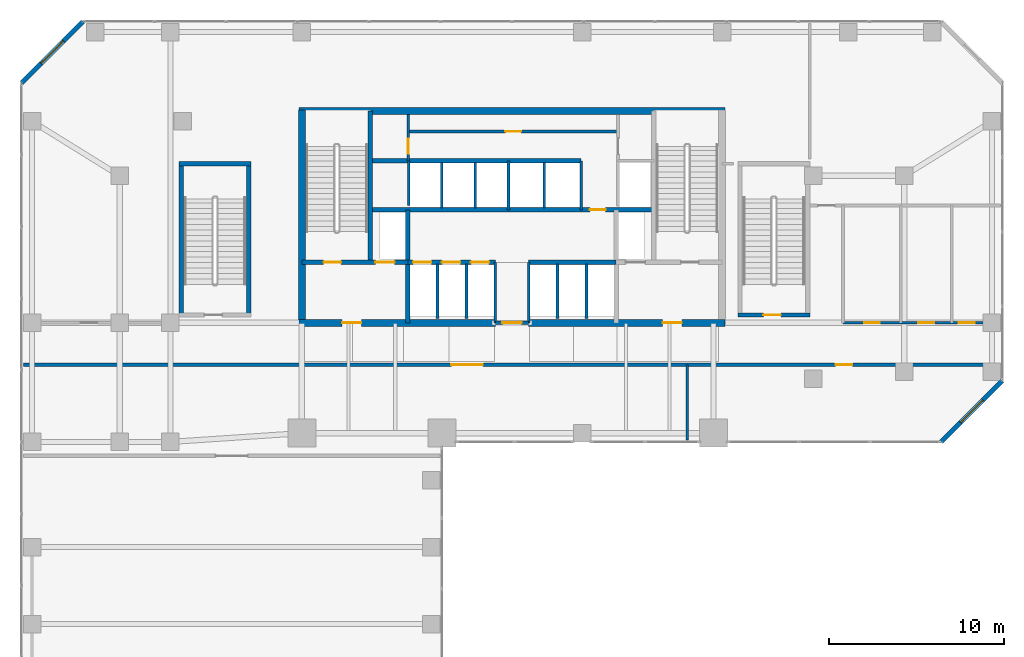
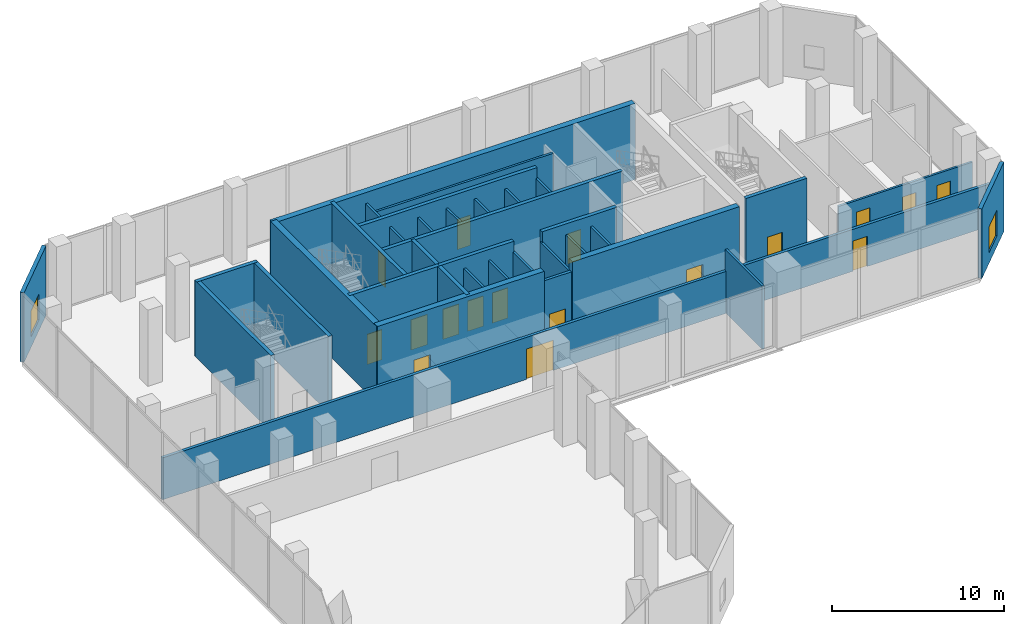
# One storey, part 21 of 24: 35 walls, 17 doors, 2 windows, 19 openings.
"""IFC4 building model written with IfcOpenShell, lengths in metres."""

from ifc_helpers import new_model, si_unit, direction, frame, frame_2d, origin, place, context, subcontext, project, spatial, rectangle, extrude, material, layer, layer_set, type_object, element, fill, save


model = new_model("IFC4")

# Units and contexts
model_context = context("Model", 3, precision=1e-05, world=origin(), true_north=direction((0.0, 1.0)))
body_context = subcontext(model_context, "Body", "Model", "MODEL_VIEW")
ifc_project = project(units=[si_unit("LENGTHUNIT", "METRE"), si_unit("AREAUNIT", "SQUARE_METRE"), si_unit("VOLUMEUNIT", "CUBIC_METRE"), si_unit("PLANEANGLEUNIT", "RADIAN"), si_unit("MASSUNIT", "GRAM", prefix="KILO")], contexts=[model_context])

# Site, building, storey
site_placement = place(None, origin())
site = spatial("IfcSite", under=ifc_project, at=site_placement, CompositionType="ELEMENT")
building_placement = place(site_placement, origin())
building = spatial("IfcBuilding", under=site, at=building_placement, Name="Catumbela Crestline Tower", CompositionType="ELEMENT")
storey_placement = place(building_placement, frame((0.0, 0.0, 15.9)))
storey = spatial("IfcBuildingStorey", under=building, at=storey_placement, Name="L03", CompositionType="ELEMENT", Elevation=15.9)

# Walls
ifc_material_1 = material(Name="Concrete C50/60", Category="concrete")
ifc_layer_1 = layer(ifc_material_1, 0.25, Name="Concrete C50/60")
ifc_layer_set_1 = layer_set([ifc_layer_1], Name="Concrete C50/60")
wall_type_1 = type_object("IfcWallType", Name="CW-250D", PredefinedType="SHEAR", material=ifc_layer_set_1)
wall_1_placement = place(storey_placement, frame((19.9, 34.25, 0.0), z_axis=(0.0, 0.0, 1.0), x_axis=(0.0, 1.0, 0.0)))
element("IfcWall", 1, at=wall_1_placement, inside=storey, type_object=wall_type_1, Name="L03 Structural Core Shear Wall WWEB", PredefinedType="SHEAR", context=body_context, shape_type="SweptSolid", body=[
    extrude(rectangle(XDim=8.65, YDim=0.25, at=frame_2d((4.325, 0.0))), origin(), (0.0, 0.0, 1.0), 5.4),
])
wall_2_placement = place(storey_placement, frame((22.05, 30.8, 0.0), z_axis=(0.0, 0.0, 1.0), x_axis=(0.0, 1.0, 0.0)))
element("IfcWall", 2, at=wall_2_placement, inside=storey, type_object=wall_type_1, Name="L03 Structural Core Shear Wall FFW", PredefinedType="SHEAR", context=body_context, shape_type="SweptSolid", body=[
    extrude(rectangle(XDim=6.45, YDim=0.25, at=frame_2d((3.225, 0.0))), origin(), (0.0, 0.0, 1.0), 5.4),
])

# Wall, openings, doors
wall_3_placement = place(storey_placement, frame((16.0, 34.25, 0.0), z_axis=(0.0, 0.0, 1.0), x_axis=(1.0, 0.0, 0.0)))
wall_3 = element("IfcWall", 3, at=wall_3_placement, inside=storey, type_object=wall_type_1, Name="L03 Structural Core Shear Wall ST1S", PredefinedType="SHEAR", context=body_context, shape_type="SweptSolid", body=[
    extrude(rectangle(XDim=6.05, YDim=0.25, at=frame_2d((3.025, 0.0))), origin(), (0.0, 0.0, 1.0), 5.4),
])
opening_1_placement = place(wall_3_placement, frame((1.25, 0.0, 0.0)))
opening_1 = element("IfcOpeningElement", 4, at=opening_1_placement, cuts=wall_3, Name="Opening DF9-100", PredefinedType="OPENING", context=body_context, shape_type="SweptSolid", body=[
    extrude(rectangle(XDim=1.0, YDim=2.15, at=frame_2d((0.5, 1.075))), frame((0.0, 0.135, 0.0), z_axis=(0.0, -1.0, 0.0), x_axis=(1.0, 0.0, 0.0)), (0.0, 0.0, 1.0), 0.27),
])
opening_2_placement = place(wall_3_placement, frame((4.2, 0.0, 0.0)))
opening_2 = element("IfcOpeningElement", 5, at=opening_2_placement, cuts=wall_3, Name="Opening LD-110", PredefinedType="OPENING", context=body_context, shape_type="SweptSolid", body=[
    extrude(rectangle(XDim=1.1, YDim=2.15, at=frame_2d((0.55, 1.075))), frame((0.0, 0.135, 0.0), z_axis=(0.0, -1.0, 0.0), x_axis=(1.0, 0.0, 0.0)), (0.0, 0.0, 1.0), 0.27),
])
ifc_material_2 = material(Name="Stainless steel EN 1.4401", Category="steel")
door_type_1 = type_object("IfcDoorType", Name="DF9-100", OperationType="NOTDEFINED", PredefinedType="DOOR", material=ifc_material_2)
door_1_placement = place(opening_1_placement, origin())
door_1 = element("IfcDoor", 6, at=door_1_placement, inside=storey, type_object=door_type_1, Name="L03 Interior Door DR-L03-ST01", OperationType="SINGLE_SWING_LEFT", OverallHeight=2.15, OverallWidth=1.0, PredefinedType="DOOR", context=body_context, shape_type="SweptSolid", body=[
    extrude(rectangle(XDim=1.0, YDim=2.15, at=frame_2d((0.5, 1.075))), frame((0.0, 0.025, 0.0), z_axis=(0.0, -1.0, 0.0), x_axis=(1.0, 0.0, 0.0)), (0.0, 0.0, 1.0), 0.05),
])
fill(opening_1, door_1)
door_type_2 = type_object("IfcDoorType", Name="LD-110", OperationType="NOTDEFINED", PredefinedType="DOOR", material=ifc_material_2)
door_2_placement = place(opening_2_placement, origin())
door_2 = element("IfcDoor", 7, at=door_2_placement, inside=storey, type_object=door_type_2, Name="L03 Lift Landing Sliding Door FL-01", OperationType="DOUBLE_DOOR_SLIDING", OverallHeight=2.15, OverallWidth=1.1, PredefinedType="DOOR", context=body_context, shape_type="SweptSolid", body=[
    extrude(rectangle(XDim=1.1, YDim=2.15, at=frame_2d((0.55, 1.075))), frame((0.0, 0.025, 0.0), z_axis=(0.0, -1.0, 0.0), x_axis=(1.0, 0.0, 0.0)), (0.0, 0.0, 1.0), 0.05),
])
fill(opening_2, door_2)

wall_4_placement = place(storey_placement, frame((22.05, 34.25, 0.0), z_axis=(0.0, 0.0, 1.0), x_axis=(1.0, 0.0, 0.0)))
wall_4 = element("IfcWall", 8, at=wall_4_placement, inside=storey, type_object=wall_type_1, Name="L03 Structural Core Shear Wall LIFTS-W", PredefinedType="SHEAR", context=body_context, shape_type="SweptSolid", body=[
    extrude(rectangle(XDim=5.0, YDim=0.25, at=frame_2d((2.5, 0.0))), origin(), (0.0, 0.0, 1.0), 5.4),
])
opening_3_placement = place(wall_4_placement, frame((0.3, 0.0, 0.0)))
opening_3 = element("IfcOpeningElement", 9, at=opening_3_placement, cuts=wall_4, Name="Opening LD-105", PredefinedType="OPENING", context=body_context, shape_type="SweptSolid", body=[
    extrude(rectangle(XDim=1.05, YDim=2.15, at=frame_2d((0.525, 1.075))), frame((0.0, 0.135, 0.0), z_axis=(0.0, -1.0, 0.0), x_axis=(1.0, 0.0, 0.0)), (0.0, 0.0, 1.0), 0.27),
])
opening_4_placement = place(wall_4_placement, frame((1.95, 0.0, 0.0)))
opening_4 = element("IfcOpeningElement", 10, at=opening_4_placement, cuts=wall_4, Name="Opening LD-105", PredefinedType="OPENING", context=body_context, shape_type="SweptSolid", body=[
    extrude(rectangle(XDim=1.05, YDim=2.15, at=frame_2d((0.525, 1.075))), frame((0.0, 0.135, 0.0), z_axis=(0.0, -1.0, 0.0), x_axis=(1.0, 0.0, 0.0)), (0.0, 0.0, 1.0), 0.27),
])
opening_5_placement = place(wall_4_placement, frame((3.6, 0.0, 0.0)))
opening_5 = element("IfcOpeningElement", 11, at=opening_5_placement, cuts=wall_4, Name="Opening LD-105", PredefinedType="OPENING", context=body_context, shape_type="SweptSolid", body=[
    extrude(rectangle(XDim=1.05, YDim=2.15, at=frame_2d((0.525, 1.075))), frame((0.0, 0.135, 0.0), z_axis=(0.0, -1.0, 0.0), x_axis=(1.0, 0.0, 0.0)), (0.0, 0.0, 1.0), 0.27),
])
door_type_3 = type_object("IfcDoorType", Name="LD-105", OperationType="NOTDEFINED", PredefinedType="DOOR", material=ifc_material_2)
door_3_placement = place(opening_3_placement, origin())
door_3 = element("IfcDoor", 12, at=door_3_placement, inside=storey, type_object=door_type_3, Name="L03 Lift Landing Sliding Door PL-L1", OperationType="DOUBLE_DOOR_SLIDING", OverallHeight=2.15, OverallWidth=1.05, PredefinedType="DOOR", context=body_context, shape_type="SweptSolid", body=[
    extrude(rectangle(XDim=1.05, YDim=2.15, at=frame_2d((0.525, 1.075))), frame((0.0, 0.025, 0.0), z_axis=(0.0, -1.0, 0.0), x_axis=(1.0, 0.0, 0.0)), (0.0, 0.0, 1.0), 0.05),
])
fill(opening_3, door_3)
door_4_placement = place(opening_4_placement, origin())
door_4 = element("IfcDoor", 13, at=door_4_placement, inside=storey, type_object=door_type_3, Name="L03 Lift Landing Sliding Door PL-L2", OperationType="DOUBLE_DOOR_SLIDING", OverallHeight=2.15, OverallWidth=1.05, PredefinedType="DOOR", context=body_context, shape_type="SweptSolid", body=[
    extrude(rectangle(XDim=1.05, YDim=2.15, at=frame_2d((0.525, 1.075))), frame((0.0, 0.025, 0.0), z_axis=(0.0, -1.0, 0.0), x_axis=(1.0, 0.0, 0.0)), (0.0, 0.0, 1.0), 0.05),
])
fill(opening_4, door_4)
door_5_placement = place(opening_5_placement, origin())
door_5 = element("IfcDoor", 14, at=door_5_placement, inside=storey, type_object=door_type_3, Name="L03 Lift Landing Sliding Door PL-L3", OperationType="DOUBLE_DOOR_SLIDING", OverallHeight=2.15, OverallWidth=1.05, PredefinedType="DOOR", context=body_context, shape_type="SweptSolid", body=[
    extrude(rectangle(XDim=1.05, YDim=2.15, at=frame_2d((0.525, 1.075))), frame((0.0, 0.025, 0.0), z_axis=(0.0, -1.0, 0.0), x_axis=(1.0, 0.0, 0.0)), (0.0, 0.0, 1.0), 0.05),
])
fill(opening_5, door_5)

# Wall
wall_5_placement = place(storey_placement, frame((28.95, 34.25, 0.0), z_axis=(0.0, 0.0, 1.0), x_axis=(1.0, 0.0, 0.0)))
element("IfcWall", 15, at=wall_5_placement, inside=storey, type_object=wall_type_1, Name="L03 Structural Core Shear Wall LIFTS-E", PredefinedType="SHEAR", context=body_context, shape_type="SweptSolid", body=[
    extrude(rectangle(XDim=5.0, YDim=0.25, at=frame_2d((2.5, 0.0))), origin(), (0.0, 0.0, 1.0), 5.4),
])

# Wall, opening, door
wall_6_placement = place(storey_placement, frame((19.9, 37.25, 0.0), z_axis=(0.0, 0.0, 1.0), x_axis=(1.0, 0.0, 0.0)))
wall_6 = element("IfcWall", 16, at=wall_6_placement, inside=storey, type_object=wall_type_1, Name="L03 Structural Core Shear Wall LIFTN", PredefinedType="SHEAR", context=body_context, shape_type="SweptSolid", body=[
    extrude(rectangle(XDim=16.2, YDim=0.25, at=frame_2d((8.1, 0.0))), origin(), (0.0, 0.0, 1.0), 5.4),
])
opening_6_placement = place(wall_6_placement, frame((12.55, 0.0, 0.0)))
opening_6 = element("IfcOpeningElement", 17, at=opening_6_placement, cuts=wall_6, Name="Opening DF9-090", PredefinedType="OPENING", context=body_context, shape_type="SweptSolid", body=[
    extrude(rectangle(XDim=0.9, YDim=2.15, at=frame_2d((0.45, 1.075))), frame((0.0, 0.135, 0.0), z_axis=(0.0, -1.0, 0.0), x_axis=(1.0, 0.0, 0.0)), (0.0, 0.0, 1.0), 0.27),
])
door_type_4 = type_object("IfcDoorType", Name="DF9-090", OperationType="NOTDEFINED", PredefinedType="DOOR", material=ifc_material_2)
door_6_placement = place(opening_6_placement, origin())
door_6 = element("IfcDoor", 18, at=door_6_placement, inside=storey, type_object=door_type_4, Name="L03 Interior Door DR-L03-CPAS1", OperationType="SINGLE_SWING_LEFT", OverallHeight=2.15, OverallWidth=0.9, PredefinedType="DOOR", context=body_context, shape_type="SweptSolid", body=[
    extrude(rectangle(XDim=0.9, YDim=2.15, at=frame_2d((0.45, 1.075))), frame((0.0, 0.025, 0.0), z_axis=(0.0, -1.0, 0.0), x_axis=(1.0, 0.0, 0.0)), (0.0, 0.0, 1.0), 0.05),
])
fill(opening_6, door_6)

# Walls
wall_7_placement = place(storey_placement, frame((19.9, 40.05, 0.0), z_axis=(0.0, 0.0, 1.0), x_axis=(1.0, 0.0, 0.0)))
element("IfcWall", 19, at=wall_7_placement, inside=storey, type_object=wall_type_1, Name="L03 Structural Core Shear Wall COREN", PredefinedType="SHEAR", context=body_context, shape_type="SweptSolid", body=[
    extrude(rectangle(XDim=12.05, YDim=0.25, at=frame_2d((6.025, 0.0))), origin(), (0.0, 0.0, 1.0), 5.4),
])
for number, where, z_axis, x_axis, name in (
    (20, (9.12, 31.15, 0.0), (0.0, 0.0, 1.0), (0.0, 1.0, 0.0), "L03 Structural Core Shear Wall ST3W"),
    (21, (12.98, 31.15, 0.0), (0.0, 0.0, 1.0), (0.0, 1.0, 0.0), "L03 Structural Core Shear Wall ST3E"),
):
    element("IfcWall", number, at=place(storey_placement, frame(where, z_axis=z_axis, x_axis=x_axis)), inside=storey, type_object=wall_type_1, Name=name, PredefinedType="SHEAR", context=body_context, shape_type="SweptSolid", body=[
        extrude(rectangle(XDim=8.8, YDim=0.25, at=frame_2d((4.4, 0.0))), origin(), (0.0, 0.0, 1.0), 5.4),
    ])
wall_8_placement = place(storey_placement, frame((9.0, 39.88, 0.0), z_axis=(0.0, 0.0, 1.0), x_axis=(1.0, 0.0, 0.0)))
element("IfcWall", 22, at=wall_8_placement, inside=storey, type_object=wall_type_1, Name="L03 Structural Core Shear Wall ST3N", PredefinedType="SHEAR", context=body_context, shape_type="SweptSolid", body=[
    extrude(rectangle(XDim=4.1, YDim=0.25, at=frame_2d((2.05, 0.0))), origin(), (0.0, 0.0, 1.0), 5.4),
])

# Wall, opening, door
wall_9_placement = place(storey_placement, frame((40.9, 31.25, 0.0), z_axis=(0.0, 0.0, 1.0), x_axis=(1.0, 0.0, 0.0)))
wall_9 = element("IfcWall", 23, at=wall_9_placement, inside=storey, type_object=wall_type_1, Name="L03 Structural Core Shear Wall ST4S", PredefinedType="SHEAR", context=body_context, shape_type="SweptSolid", body=[
    extrude(rectangle(XDim=4.1, YDim=0.25, at=frame_2d((2.05, 0.0))), origin(), (0.0, 0.0, 1.0), 5.4),
])
opening_7_placement = place(wall_9_placement, frame((1.45, 0.0, 0.0)))
opening_7 = element("IfcOpeningElement", 24, at=opening_7_placement, cuts=wall_9, Name="Opening DF9-100", PredefinedType="OPENING", context=body_context, shape_type="SweptSolid", body=[
    extrude(rectangle(XDim=1.0, YDim=2.15, at=frame_2d((0.5, 1.075))), frame((0.0, 0.135, 0.0), z_axis=(0.0, -1.0, 0.0), x_axis=(1.0, 0.0, 0.0)), (0.0, 0.0, 1.0), 0.27),
])
door_7_placement = place(opening_7_placement, origin())
door_7 = element("IfcDoor", 25, at=door_7_placement, inside=storey, type_object=door_type_1, Name="L03 Interior Door DR-L03-ST04", OperationType="SINGLE_SWING_RIGHT", OverallHeight=2.15, OverallWidth=1.0, PredefinedType="DOOR", context=body_context, shape_type="SweptSolid", body=[
    extrude(rectangle(XDim=1.0, YDim=2.15, at=frame_2d((0.5, 1.075))), frame((0.0, 0.025, 0.0), z_axis=(0.0, -1.0, 0.0), x_axis=(1.0, 0.0, 0.0)), (0.0, 0.0, 1.0), 0.05),
])
fill(opening_7, door_7)

# Walls
ifc_material_3 = material(Name="Concrete C60/75", Category="concrete")
ifc_layer_2 = layer(ifc_material_3, 0.4, Name="Concrete C60/75")
ifc_layer_set_2 = layer_set([ifc_layer_2], Name="Concrete C60/75")
wall_type_2 = type_object("IfcWallType", Name="CW-400A", PredefinedType="SHEAR", material=ifc_layer_set_2)
wall_10_placement = place(storey_placement, frame((16.0, 30.65, 0.0), z_axis=(0.0, 0.0, 1.0), x_axis=(0.0, 1.0, 0.0)))
element("IfcWall", 26, at=wall_10_placement, inside=storey, type_object=wall_type_2, Name="L03 Structural Core Shear Wall W", PredefinedType="SHEAR", context=body_context, shape_type="SweptSolid", body=[
    extrude(rectangle(XDim=12.3, YDim=0.4, at=frame_2d((6.15, 0.0))), origin(), (0.0, 0.0, 1.0), 5.4),
])
wall_11_placement = place(storey_placement, frame((15.85, 42.9, 0.0), z_axis=(0.0, 0.0, 1.0), x_axis=(1.0, 0.0, 0.0)))
element("IfcWall", 27, at=wall_11_placement, inside=storey, type_object=wall_type_2, Name="L03 Structural Core Shear Wall N", PredefinedType="SHEAR", context=body_context, shape_type="SweptSolid", body=[
    extrude(rectangle(XDim=24.3, YDim=0.4, at=frame_2d((12.15, 0.0))), origin(), (0.0, 0.0, 1.0), 5.4),
])

# Wall, opening, door
wall_12_placement = place(storey_placement, frame((15.85, 30.8, 0.0), z_axis=(0.0, 0.0, 1.0), x_axis=(1.0, 0.0, 0.0)))
wall_12 = element("IfcWall", 28, at=wall_12_placement, inside=storey, type_object=wall_type_2, Name="L03 Structural Core Shear Wall SW", PredefinedType="SHEAR", context=body_context, shape_type="SweptSolid", body=[
    extrude(rectangle(XDim=11.2, YDim=0.4, at=frame_2d((5.6, 0.0))), origin(), (0.0, 0.0, 1.0), 5.4),
])
opening_8_placement = place(wall_12_placement, frame((2.45, 0.0, 0.0)))
opening_8 = element("IfcOpeningElement", 29, at=opening_8_placement, cuts=wall_12, Name="Opening DF9-110", PredefinedType="OPENING", context=body_context, shape_type="SweptSolid", body=[
    extrude(rectangle(XDim=1.1, YDim=2.15, at=frame_2d((0.55, 1.075))), frame((0.0, 0.21, 0.0), z_axis=(0.0, -1.0, 0.0), x_axis=(1.0, 0.0, 0.0)), (0.0, 0.0, 1.0), 0.42),
])
door_type_5 = type_object("IfcDoorType", Name="DF9-110", OperationType="NOTDEFINED", PredefinedType="DOOR", material=ifc_material_2)
door_8_placement = place(opening_8_placement, origin())
door_8 = element("IfcDoor", 30, at=door_8_placement, inside=storey, type_object=door_type_5, Name="L03 Interior Door DR-L03-FFW-S", OperationType="SINGLE_SWING_LEFT", OverallHeight=2.15, OverallWidth=1.1, PredefinedType="DOOR", context=body_context, shape_type="SweptSolid", body=[
    extrude(rectangle(XDim=1.1, YDim=2.15, at=frame_2d((0.55, 1.075))), frame((0.0, 0.025, 0.0), z_axis=(0.0, -1.0, 0.0), x_axis=(1.0, 0.0, 0.0)), (0.0, 0.0, 1.0), 0.05),
])
fill(opening_8, door_8)

wall_13_placement = place(storey_placement, frame((28.95, 30.8, 0.0), z_axis=(0.0, 0.0, 1.0), x_axis=(1.0, 0.0, 0.0)))
wall_13 = element("IfcWall", 31, at=wall_13_placement, inside=storey, type_object=wall_type_2, Name="L03 Structural Core Shear Wall SE", PredefinedType="SHEAR", context=body_context, shape_type="SweptSolid", body=[
    extrude(rectangle(XDim=11.2, YDim=0.4, at=frame_2d((5.6, 0.0))), origin(), (0.0, 0.0, 1.0), 5.4),
])
opening_9_placement = place(wall_13_placement, frame((7.65, 0.0, 0.0)))
opening_9 = element("IfcOpeningElement", 32, at=opening_9_placement, cuts=wall_13, Name="Opening DF9-110", PredefinedType="OPENING", context=body_context, shape_type="SweptSolid", body=[
    extrude(rectangle(XDim=1.1, YDim=2.15, at=frame_2d((0.55, 1.075))), frame((0.0, 0.21, 0.0), z_axis=(0.0, -1.0, 0.0), x_axis=(1.0, 0.0, 0.0)), (0.0, 0.0, 1.0), 0.42),
])
door_9_placement = place(opening_9_placement, origin())
door_9 = element("IfcDoor", 33, at=door_9_placement, inside=storey, type_object=door_type_5, Name="L03 Interior Door DR-L03-FFE-S", OperationType="SINGLE_SWING_RIGHT", OverallHeight=2.15, OverallWidth=1.1, PredefinedType="DOOR", context=body_context, shape_type="SweptSolid", body=[
    extrude(rectangle(XDim=1.1, YDim=2.15, at=frame_2d((0.55, 1.075))), frame((0.0, 0.025, 0.0), z_axis=(0.0, -1.0, 0.0), x_axis=(1.0, 0.0, 0.0)), (0.0, 0.0, 1.0), 0.05),
])
fill(opening_9, door_9)

ifc_material_4 = material(Name="Acoustic gypsum and mineral-wool partition")
ifc_layer_3 = layer(ifc_material_4, 0.2, Name="Acoustic gypsum and mineral-wool partition")
ifc_layer_set_3 = layer_set([ifc_layer_3], Name="Acoustic gypsum and mineral-wool partition")
wall_type_3 = type_object("IfcWallType", Name="WC-200", PredefinedType="PARTITIONING", material=ifc_layer_set_3)
wall_14_placement = place(storey_placement, frame((27.05, 30.8, 0.0), z_axis=(0.0, 0.0, 1.0), x_axis=(1.0, 0.0, 0.0)))
wall_14 = element("IfcWall", 34, at=wall_14_placement, inside=storey, type_object=wall_type_3, Name="L03 Interior Partition PW-L03-CLOBS", PredefinedType="PARTITIONING", context=body_context, shape_type="SweptSolid", body=[
    extrude(rectangle(XDim=1.9, YDim=0.2, at=frame_2d((0.95, 0.0))), origin(), (0.0, 0.0, 1.0), 4.64),
])
opening_10_placement = place(wall_14_placement, frame((0.4, 0.0, 0.0)))
opening_10 = element("IfcOpeningElement", 35, at=opening_10_placement, cuts=wall_14, Name="Opening DF9-110", PredefinedType="OPENING", context=body_context, shape_type="SweptSolid", body=[
    extrude(rectangle(XDim=1.1, YDim=2.15, at=frame_2d((0.55, 1.075))), frame((0.0, 0.11, 0.0), z_axis=(0.0, -1.0, 0.0), x_axis=(1.0, 0.0, 0.0)), (0.0, 0.0, 1.0), 0.22),
])
door_10_placement = place(opening_10_placement, origin())
door_10 = element("IfcDoor", 36, at=door_10_placement, inside=storey, type_object=door_type_5, Name="L03 Interior Door DR-L03-CLOBS", OperationType="SINGLE_SWING_LEFT", OverallHeight=2.15, OverallWidth=1.1, PredefinedType="DOOR", context=body_context, shape_type="SweptSolid", body=[
    extrude(rectangle(XDim=1.1, YDim=2.15, at=frame_2d((0.55, 1.075))), frame((0.0, 0.025, 0.0), z_axis=(0.0, -1.0, 0.0), x_axis=(1.0, 0.0, 0.0)), (0.0, 0.0, 1.0), 0.05),
])
fill(opening_10, door_10)

# Wall, openings, doors
wall_15_placement = place(storey_placement, frame((0.1, 28.4, 0.0), z_axis=(0.0, 0.0, 1.0), x_axis=(1.0, 0.0, 0.0)))
wall_15 = element("IfcWall", 37, at=wall_15_placement, inside=storey, type_object=wall_type_3, Name="L03 Interior Partition PW-L03-PFN", PredefinedType="PARTITIONING", context=body_context, shape_type="SweptSolid", body=[
    extrude(rectangle(XDim=55.8, YDim=0.2, at=frame_2d((27.9, 0.0))), origin(), (0.0, 0.0, 1.0), 2.98),
])
opening_11_placement = place(wall_15_placement, frame((24.44, 0.0, 0.0)))
opening_11 = element("IfcOpeningElement", 38, at=opening_11_placement, cuts=wall_15, Name="Opening DD-180", PredefinedType="OPENING", context=body_context, shape_type="SweptSolid", body=[
    extrude(rectangle(XDim=1.8, YDim=2.15, at=frame_2d((0.9, 1.075))), frame((0.0, 0.11, 0.0), z_axis=(0.0, -1.0, 0.0), x_axis=(1.0, 0.0, 0.0)), (0.0, 0.0, 1.0), 0.22),
])
opening_12_placement = place(wall_15_placement, frame((46.375, 0.0, 0.0)))
opening_12 = element("IfcOpeningElement", 39, at=opening_12_placement, cuts=wall_15, Name="Opening DF6-095", PredefinedType="OPENING", context=body_context, shape_type="SweptSolid", body=[
    extrude(rectangle(XDim=0.95, YDim=2.15, at=frame_2d((0.475, 1.075))), frame((0.0, 0.11, 0.0), z_axis=(0.0, -1.0, 0.0), x_axis=(1.0, 0.0, 0.0)), (0.0, 0.0, 1.0), 0.22),
])
ifc_material_5 = material(Name="Aluminium alloy AW-6060-T66", Category="aluminium")
door_type_6 = type_object("IfcDoorType", Name="DD-180", OperationType="NOTDEFINED", PredefinedType="DOOR", material=ifc_material_5)
door_11_placement = place(opening_11_placement, origin())
door_11 = element("IfcDoor", 40, at=door_11_placement, inside=storey, type_object=door_type_6, Name="L03 Interior Door DR-L03-PFN", OperationType="DOUBLE_DOOR_SINGLE_SWING", OverallHeight=2.15, OverallWidth=1.8, PredefinedType="DOOR", context=body_context, shape_type="SweptSolid", body=[
    extrude(rectangle(XDim=1.8, YDim=2.15, at=frame_2d((0.9, 1.075))), frame((0.0, 0.025, 0.0), z_axis=(0.0, -1.0, 0.0), x_axis=(1.0, 0.0, 0.0)), (0.0, 0.0, 1.0), 0.05),
])
fill(opening_11, door_11)
door_type_7 = type_object("IfcDoorType", Name="DF6-095", OperationType="NOTDEFINED", PredefinedType="DOOR", material=ifc_material_5)
door_12_placement = place(opening_12_placement, origin())
door_12 = element("IfcDoor", 41, at=door_12_placement, inside=storey, type_object=door_type_7, Name="L03 Interior Door DR-L03-BKIT", OperationType="SINGLE_SWING_LEFT", OverallHeight=2.15, OverallWidth=0.95, PredefinedType="DOOR", context=body_context, shape_type="SweptSolid", body=[
    extrude(rectangle(XDim=0.95, YDim=2.15, at=frame_2d((0.475, 1.075))), frame((0.0, 0.025, 0.0), z_axis=(0.0, -1.0, 0.0), x_axis=(1.0, 0.0, 0.0)), (0.0, 0.0, 1.0), 0.05),
])
fill(opening_12, door_12)

# Wall, opening, window
ifc_material_6 = material(Name="Angolan grey-ochre granite", Category="masonry")
ifc_layer_4 = layer(ifc_material_6, 0.25, Name="Angolan grey-ochre granite")
ifc_layer_set_4 = layer_set([ifc_layer_4], Name="Angolan grey-ochre granite")
wall_type_4 = type_object("IfcWallType", Name="WE-250", PredefinedType="STANDARD", material=ifc_layer_set_4)
wall_16_placement = place(storey_placement, frame((52.5, 24.0, 0.0), z_axis=(0.0, 0.0, 1.0), x_axis=(0.707106781187, 0.707106781187, 0.0)))
wall_16 = element("IfcWall", 42, at=wall_16_placement, inside=storey, type_object=wall_type_4, Name="L03 Granite Punched Window Wall 4-1", PredefinedType="STANDARD", context=body_context, shape_type="SweptSolid", body=[
    extrude(rectangle(XDim=4.9497, YDim=0.25, at=frame_2d((2.4748, 0.0))), origin(), (0.0, 0.0, 1.0), 4.94),
])
opening_13_placement = place(wall_16_placement, frame((1.5749, 0.0, 0.75)))
opening_13 = element("IfcOpeningElement", 43, at=opening_13_placement, cuts=wall_16, Name="Opening WN-01", PredefinedType="OPENING", context=body_context, shape_type="SweptSolid", body=[
    extrude(rectangle(XDim=1.8, YDim=1.85, at=frame_2d((0.9, 0.925))), frame((0.0, 0.135, 0.0), z_axis=(0.0, -1.0, 0.0), x_axis=(1.0, 0.0, 0.0)), (0.0, 0.0, 1.0), 0.27),
])
ifc_material_7 = material(Name="Low-E laminated solar-control double glazing", Category="glass")
window_type = type_object("IfcWindowType", Name="WF-1800", PartitioningType="SINGLE_PANEL", PredefinedType="WINDOW", material=ifc_material_7)
window_1_placement = place(opening_13_placement, origin())
window_1 = element("IfcWindow", 44, at=window_1_placement, inside=storey, type_object=window_type, Name="L03 Facade Vision Window 37", OverallHeight=1.85, OverallWidth=1.8, PartitioningType="SINGLE_PANEL", PredefinedType="WINDOW", context=body_context, shape_type="SweptSolid", body=[
    extrude(rectangle(XDim=1.8, YDim=1.85, at=frame_2d((0.9, 0.925))), frame((0.0, 0.03, 0.0), z_axis=(0.0, -1.0, 0.0), x_axis=(1.0, 0.0, 0.0)), (0.0, 0.0, 1.0), 0.06),
])
fill(opening_13, window_1)

wall_17_placement = place(storey_placement, frame((3.5, 48.0, 0.0), z_axis=(0.0, 0.0, 1.0), x_axis=(-0.707106781187, -0.707106781187, 0.0)))
wall_17 = element("IfcWall", 45, at=wall_17_placement, inside=storey, type_object=wall_type_4, Name="L03 Granite Punched Window Wall 8-1", PredefinedType="STANDARD", context=body_context, shape_type="SweptSolid", body=[
    extrude(rectangle(XDim=4.9497, YDim=0.25, at=frame_2d((2.4748, 0.0))), origin(), (0.0, 0.0, 1.0), 4.94),
])
opening_14_placement = place(wall_17_placement, frame((1.5749, 0.0, 0.75)))
opening_14 = element("IfcOpeningElement", 46, at=opening_14_placement, cuts=wall_17, Name="Opening WN-01", PredefinedType="OPENING", context=body_context, shape_type="SweptSolid", body=[
    extrude(rectangle(XDim=1.8, YDim=1.85, at=frame_2d((0.9, 0.925))), frame((0.0, 0.135, 0.0), z_axis=(0.0, -1.0, 0.0), x_axis=(1.0, 0.0, 0.0)), (0.0, 0.0, 1.0), 0.27),
])
window_2_placement = place(opening_14_placement, origin())
window_2 = element("IfcWindow", 47, at=window_2_placement, inside=storey, type_object=window_type, Name="L03 Facade Vision Window 39", OverallHeight=1.85, OverallWidth=1.8, PartitioningType="SINGLE_PANEL", PredefinedType="WINDOW", context=body_context, shape_type="SweptSolid", body=[
    extrude(rectangle(XDim=1.8, YDim=1.85, at=frame_2d((0.9, 0.925))), frame((0.0, 0.03, 0.0), z_axis=(0.0, -1.0, 0.0), x_axis=(1.0, 0.0, 0.0)), (0.0, 0.0, 1.0), 0.06),
])
fill(opening_14, window_2)

# Wall, opening, door
ifc_layer_5 = layer(ifc_material_4, 0.15, Name="Acoustic gypsum and mineral-wool partition")
ifc_layer_set_5 = layer_set([ifc_layer_5], Name="Acoustic gypsum and mineral-wool partition")
wall_type_5 = type_object("IfcWallType", Name="WP-150", PredefinedType="PARTITIONING", material=ifc_layer_set_5)
wall_18_placement = place(storey_placement, frame((22.08, 40.05, 0.0), z_axis=(0.0, 0.0, 1.0), x_axis=(0.0, 1.0, 0.0)))
wall_18 = element("IfcWall", 48, at=wall_18_placement, inside=storey, type_object=wall_type_5, Name="L03 Interior Partition PW-L03-CR-WCW", PredefinedType="PARTITIONING", context=body_context, shape_type="SweptSolid", body=[
    extrude(rectangle(XDim=2.63, YDim=0.15, at=frame_2d((1.315, 0.0))), origin(), (0.0, 0.0, 1.0), 4.64),
])
opening_15_placement = place(wall_18_placement, frame((0.41, 0.0, 0.0)))
opening_15 = element("IfcOpeningElement", 49, at=opening_15_placement, cuts=wall_18, Name="Opening DI-085", PredefinedType="OPENING", context=body_context, shape_type="SweptSolid", body=[
    extrude(rectangle(XDim=0.85, YDim=2.15, at=frame_2d((0.425, 1.075))), frame((0.0, 0.085, 0.0), z_axis=(0.0, -1.0, 0.0), x_axis=(1.0, 0.0, 0.0)), (0.0, 0.0, 1.0), 0.17),
])
door_type_8 = type_object("IfcDoorType", Name="DI-085", OperationType="NOTDEFINED", PredefinedType="DOOR", material=ifc_material_5)
door_13_placement = place(opening_15_placement, origin())
door_13 = element("IfcDoor", 50, at=door_13_placement, inside=storey, type_object=door_type_8, Name="L03 Interior Door DR-L03-CRWC", OperationType="SINGLE_SWING_LEFT", OverallHeight=2.15, OverallWidth=0.85, PredefinedType="DOOR", context=body_context, shape_type="SweptSolid", body=[
    extrude(rectangle(XDim=0.85, YDim=2.15, at=frame_2d((0.425, 1.075))), frame((0.0, 0.025, 0.0), z_axis=(0.0, -1.0, 0.0), x_axis=(1.0, 0.0, 0.0)), (0.0, 0.0, 1.0), 0.05),
])
fill(opening_15, door_13)

wall_19_placement = place(storey_placement, frame((22.08, 41.72, 0.0), z_axis=(0.0, 0.0, 1.0), x_axis=(1.0, 0.0, 0.0)))
wall_19 = element("IfcWall", 51, at=wall_19_placement, inside=storey, type_object=wall_type_5, Name="L03 Interior Partition PW-L03-CR-MID", PredefinedType="PARTITIONING", context=body_context, shape_type="SweptSolid", body=[
    extrude(rectangle(XDim=11.97, YDim=0.15, at=frame_2d((5.985, 0.0))), origin(), (0.0, 0.0, 1.0), 4.64),
])
opening_16_placement = place(wall_19_placement, frame((5.535, 0.0, 0.0)))
opening_16 = element("IfcOpeningElement", 52, at=opening_16_placement, cuts=wall_19, Name="Opening DF9-090", PredefinedType="OPENING", context=body_context, shape_type="SweptSolid", body=[
    extrude(rectangle(XDim=0.9, YDim=2.15, at=frame_2d((0.45, 1.075))), frame((0.0, 0.085, 0.0), z_axis=(0.0, -1.0, 0.0), x_axis=(1.0, 0.0, 0.0)), (0.0, 0.0, 1.0), 0.17),
])
door_14_placement = place(opening_16_placement, origin())
door_14 = element("IfcDoor", 53, at=door_14_placement, inside=storey, type_object=door_type_4, Name="L03 Interior Door DR-L03-CRMID", OperationType="SINGLE_SWING_LEFT", OverallHeight=2.15, OverallWidth=0.9, PredefinedType="DOOR", context=body_context, shape_type="SweptSolid", body=[
    extrude(rectangle(XDim=0.9, YDim=2.15, at=frame_2d((0.45, 1.075))), frame((0.0, 0.025, 0.0), z_axis=(0.0, -1.0, 0.0), x_axis=(1.0, 0.0, 0.0)), (0.0, 0.0, 1.0), 0.05),
])
fill(opening_16, door_14)

# Wall, openings, doors
wall_20_placement = place(storey_placement, frame((46.9, 30.8, 0.0), z_axis=(0.0, 0.0, 1.0), x_axis=(1.0, 0.0, 0.0)))
wall_20 = element("IfcWall", 54, at=wall_20_placement, inside=storey, type_object=wall_type_5, Name="L03 Interior Partition PW-L03-WC1", PredefinedType="PARTITIONING", context=body_context, shape_type="SweptSolid", body=[
    extrude(rectangle(XDim=9.0, YDim=0.15, at=frame_2d((4.5, 0.0))), origin(), (0.0, 0.0, 1.0), 2.98),
])
opening_17_placement = place(wall_20_placement, frame((1.2, 0.0, 0.0)))
opening_17 = element("IfcOpeningElement", 55, at=opening_17_placement, cuts=wall_20, Name="Opening DI-090", PredefinedType="OPENING", context=body_context, shape_type="SweptSolid", body=[
    extrude(rectangle(XDim=0.9, YDim=2.15, at=frame_2d((0.45, 1.075))), frame((0.0, 0.085, 0.0), z_axis=(0.0, -1.0, 0.0), x_axis=(1.0, 0.0, 0.0)), (0.0, 0.0, 1.0), 0.17),
])
opening_18_placement = place(wall_20_placement, frame((4.3, 0.0, 0.0)))
opening_18 = element("IfcOpeningElement", 56, at=opening_18_placement, cuts=wall_20, Name="Opening DI-090", PredefinedType="OPENING", context=body_context, shape_type="SweptSolid", body=[
    extrude(rectangle(XDim=0.9, YDim=2.15, at=frame_2d((0.45, 1.075))), frame((0.0, 0.085, 0.0), z_axis=(0.0, -1.0, 0.0), x_axis=(1.0, 0.0, 0.0)), (0.0, 0.0, 1.0), 0.17),
])
opening_19_placement = place(wall_20_placement, frame((6.61, 0.0, 0.0)))
opening_19 = element("IfcOpeningElement", 57, at=opening_19_placement, cuts=wall_20, Name="Opening DI-090", PredefinedType="OPENING", context=body_context, shape_type="SweptSolid", body=[
    extrude(rectangle(XDim=0.9, YDim=2.15, at=frame_2d((0.45, 1.075))), frame((0.0, 0.085, 0.0), z_axis=(0.0, -1.0, 0.0), x_axis=(1.0, 0.0, 0.0)), (0.0, 0.0, 1.0), 0.17),
])
door_type_9 = type_object("IfcDoorType", Name="DI-090", OperationType="NOTDEFINED", PredefinedType="DOOR", material=ifc_material_5)
door_15_placement = place(opening_17_placement, origin())
door_15 = element("IfcDoor", 58, at=door_15_placement, inside=storey, type_object=door_type_9, Name="L03 Interior Door DR-L03-WC1", OperationType="SINGLE_SWING_LEFT", OverallHeight=2.15, OverallWidth=0.9, PredefinedType="DOOR", context=body_context, shape_type="SweptSolid", body=[
    extrude(rectangle(XDim=0.9, YDim=2.15, at=frame_2d((0.45, 1.075))), frame((0.0, 0.025, 0.0), z_axis=(0.0, -1.0, 0.0), x_axis=(1.0, 0.0, 0.0)), (0.0, 0.0, 1.0), 0.05),
])
fill(opening_17, door_15)
door_16_placement = place(opening_18_placement, origin())
door_16 = element("IfcDoor", 59, at=door_16_placement, inside=storey, type_object=door_type_9, Name="L03 Interior Door DR-L03-AWC", OperationType="SINGLE_SWING_RIGHT", OverallHeight=2.15, OverallWidth=0.9, PredefinedType="DOOR", context=body_context, shape_type="SweptSolid", body=[
    extrude(rectangle(XDim=0.9, YDim=2.15, at=frame_2d((0.45, 1.075))), frame((0.0, 0.025, 0.0), z_axis=(0.0, -1.0, 0.0), x_axis=(1.0, 0.0, 0.0)), (0.0, 0.0, 1.0), 0.05),
])
fill(opening_18, door_16)
door_17_placement = place(opening_19_placement, origin())
door_17 = element("IfcDoor", 60, at=door_17_placement, inside=storey, type_object=door_type_9, Name="L03 Interior Door DR-L03-FAM", OperationType="SINGLE_SWING_LEFT", OverallHeight=2.15, OverallWidth=0.9, PredefinedType="DOOR", context=body_context, shape_type="SweptSolid", body=[
    extrude(rectangle(XDim=0.9, YDim=2.15, at=frame_2d((0.45, 1.075))), frame((0.0, 0.025, 0.0), z_axis=(0.0, -1.0, 0.0), x_axis=(1.0, 0.0, 0.0)), (0.0, 0.0, 1.0), 0.05),
])
fill(opening_19, door_17)

# Walls
wall_21_placement = place(storey_placement, frame((38.0, 24.1, 0.0), z_axis=(0.0, 0.0, 1.0), x_axis=(0.0, 1.0, 0.0)))
element("IfcWall", 61, at=wall_21_placement, inside=storey, type_object=wall_type_5, Name="L03 Interior Partition PW-L03-PFNE", PredefinedType="PARTITIONING", context=body_context, shape_type="SweptSolid", body=[
    extrude(rectangle(XDim=4.3, YDim=0.15, at=frame_2d((2.15, 0.0))), origin(), (0.0, 0.0, 1.0), 4.48),
])
ifc_layer_6 = layer(ifc_material_4, 0.15, Name="Acoustic gypsum and mineral-wool partition")
ifc_layer_set_6 = layer_set([ifc_layer_6], Name="Acoustic gypsum and mineral-wool partition")
wall_type_6 = type_object("IfcWallType", Name="WS-150", PredefinedType="PLUMBINGWALL", material=ifc_layer_set_6)
for number, where, z_axis, x_axis, name in (
    (62, (27.05, 30.8, 0.0), (0.0, 0.0, 1.0), (0.0, 1.0, 0.0), "L03 Interior Partition PW-L03-THRW"),
    (63, (28.95, 30.8, 0.0), (0.0, 0.0, 1.0), (0.0, 1.0, 0.0), "L03 Interior Partition PW-L03-THRE"),
):
    element("IfcWall", number, at=place(storey_placement, frame(where, z_axis=z_axis, x_axis=x_axis)), inside=storey, type_object=wall_type_6, Name=name, PredefinedType="PLUMBINGWALL", context=body_context, shape_type="SweptSolid", body=[
        extrude(rectangle(XDim=3.45, YDim=0.15, at=frame_2d((1.725, 0.0))), origin(), (0.0, 0.0, 1.0), 4.64),
    ])
for number, where, z_axis, x_axis, name in (
    (64, (23.75, 31.05, 0.0), (0.0, 0.0, 1.0), (0.0, 1.0, 0.0), "L03 Interior Partition PW-L03-SHL1"),
    (65, (25.4, 31.05, 0.0), (0.0, 0.0, 1.0), (0.0, 1.0, 0.0), "L03 Interior Partition PW-L03-SHL2"),
    (66, (30.6, 31.05, 0.0), (0.0, 0.0, 1.0), (0.0, 1.0, 0.0), "L03 Interior Partition PW-L03-SHM1"),
    (67, (32.25, 31.05, 0.0), (0.0, 0.0, 1.0), (0.0, 1.0, 0.0), "L03 Interior Partition PW-L03-SHM2"),
):
    element("IfcWall", number, at=place(storey_placement, frame(where, z_axis=z_axis, x_axis=x_axis)), inside=storey, type_object=wall_type_6, Name=name, PredefinedType="PLUMBINGWALL", context=body_context, shape_type="SweptSolid", body=[
        extrude(rectangle(XDim=3.1, YDim=0.15, at=frame_2d((1.55, 0.0))), origin(), (0.0, 0.0, 1.0), 4.64),
    ])
wall_22_placement = place(storey_placement, frame((22.1, 37.4897, 0.0), z_axis=(0.0, 0.0, 1.0), x_axis=(0.0, 1.0, 0.0)))
element("IfcWall", 68, at=wall_22_placement, inside=storey, type_object=wall_type_6, Name="L03 Interior Partition PW-L03-SHH0", PredefinedType="PLUMBINGWALL", context=body_context, shape_type="SweptSolid", body=[
    extrude(rectangle(XDim=2.5603, YDim=0.15, at=frame_2d((1.2801, 0.0))), origin(), (0.0, 0.0, 1.0), 4.64),
])
wall_23_placement = place(storey_placement, frame((27.8, 37.25, 0.0), z_axis=(0.0, 0.0, 1.0), x_axis=(0.0, 1.0, 0.0)))
element("IfcWall", 69, at=wall_23_placement, inside=storey, type_object=wall_type_6, Name="L03 Interior Partition PW-L03-SHH3", PredefinedType="PLUMBINGWALL", context=body_context, shape_type="SweptSolid", body=[
    extrude(rectangle(XDim=2.8, YDim=0.15, at=frame_2d((1.4, 0.0))), origin(), (0.0, 0.0, 1.0), 4.64),
])
for number, where, z_axis, x_axis, name in (
    (70, (24.0, 37.35, 0.0), (0.0, 0.0, 1.0), (0.0, 1.0, 0.0), "L03 Interior Partition PW-L03-SHH1"),
    (71, (25.9, 37.35, 0.0), (0.0, 0.0, 1.0), (0.0, 1.0, 0.0), "L03 Interior Partition PW-L03-SHH2"),
):
    element("IfcWall", number, at=place(storey_placement, frame(where, z_axis=z_axis, x_axis=x_axis)), inside=storey, type_object=wall_type_6, Name=name, PredefinedType="PLUMBINGWALL", context=body_context, shape_type="SweptSolid", body=[
        extrude(rectangle(XDim=2.6, YDim=0.15, at=frame_2d((1.3, 0.0))), origin(), (0.0, 0.0, 1.0), 4.64),
    ])
wall_24_placement = place(storey_placement, frame((31.95, 37.25, 0.0), z_axis=(0.0, 0.0, 1.0), x_axis=(0.0, 1.0, 0.0)))
element("IfcWall", 72, at=wall_24_placement, inside=storey, type_object=wall_type_6, Name="L03 Interior Partition PW-L03-SHEX2E", PredefinedType="PLUMBINGWALL", context=body_context, shape_type="SweptSolid", body=[
    extrude(rectangle(XDim=2.8, YDim=0.15, at=frame_2d((1.4, 0.0))), origin(), (0.0, 0.0, 1.0), 4.64),
])
wall_25_placement = place(storey_placement, frame((29.85, 37.35, 0.0), z_axis=(0.0, 0.0, 1.0), x_axis=(0.0, 1.0, 0.0)))
element("IfcWall", 73, at=wall_25_placement, inside=storey, type_object=wall_type_6, Name="L03 Interior Partition PW-L03-SHEX1", PredefinedType="PLUMBINGWALL", context=body_context, shape_type="SweptSolid", body=[
    extrude(rectangle(XDim=2.6, YDim=0.15, at=frame_2d((1.3, 0.0))), origin(), (0.0, 0.0, 1.0), 4.64),
])

save(model, "model.ifc")
